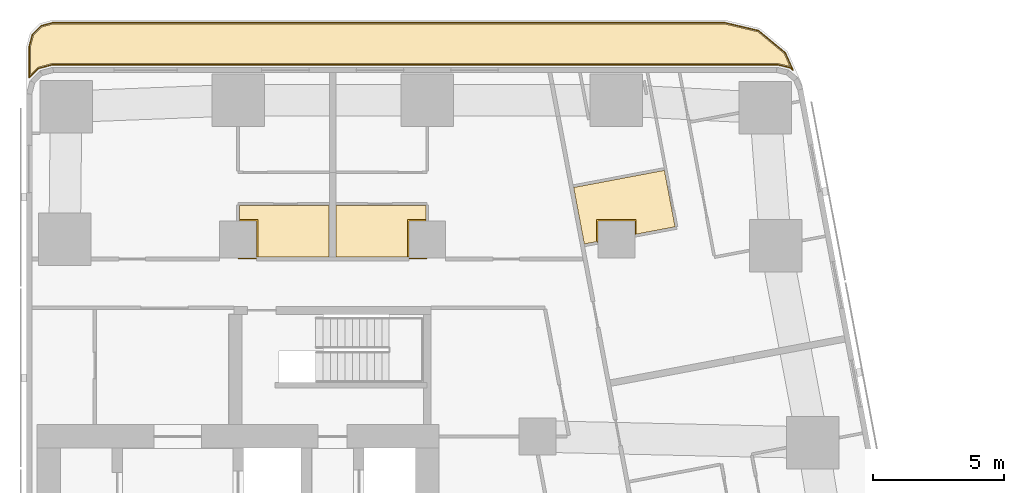
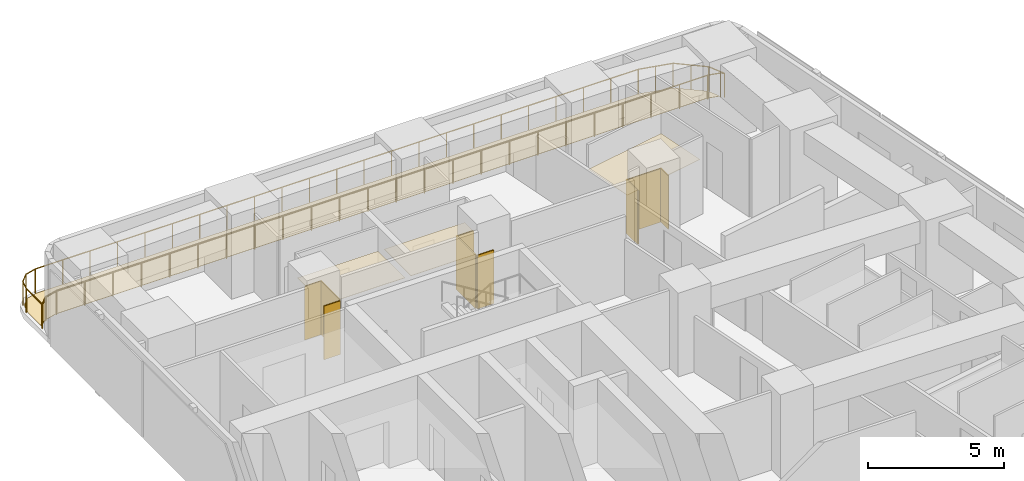
# One storey, part 12 of 12: 7 coverings, 1 railing.
"""IFC4 building model written with IfcOpenShell, lengths in metres."""

from ifc_helpers import new_model, si_unit, direction, frame, origin, origin_2d, place, context, subcontext, project, spatial, polyline, circle, outline, extrude, material, layer, layer_set, type_object, element, save


model = new_model("IFC4")

# Units and contexts
model_context = context("Model", 3, precision=1e-05, world=origin(), true_north=direction((0.0, 1.0)))
body_context = subcontext(model_context, "Body", "Model", "MODEL_VIEW")
ifc_project = project(units=[si_unit("LENGTHUNIT", "METRE"), si_unit("AREAUNIT", "SQUARE_METRE"), si_unit("VOLUMEUNIT", "CUBIC_METRE"), si_unit("PLANEANGLEUNIT", "RADIAN"), si_unit("MASSUNIT", "GRAM", prefix="KILO")], contexts=[model_context])

# Site, building, storey
site_placement = place(None, origin())
site = spatial("IfcSite", under=ifc_project, at=site_placement, CompositionType="ELEMENT")
building_placement = place(site_placement, origin())
building = spatial("IfcBuilding", under=site, at=building_placement, Name="Sheger Commons Tower", CompositionType="ELEMENT")
storey_placement = place(building_placement, frame((0.0, 0.0, 251.60009765625)))
storey = spatial("IfcBuildingStorey", under=building, at=storey_placement, Name="L64", CompositionType="ELEMENT", Elevation=251.60009765625)

# Railing
ifc_material_1 = material(Name="Black steel guard with glass infill", Category="steel")
railing_type = type_object("IfcRailingType", Name="GUARD 1100", PredefinedType="GUARDRAIL", material=ifc_material_1)
railing_placement = place(storey_placement, frame((42.718017578125, 43.944091796875, 0.0)))
element("IfcRailing", 1, at=railing_placement, inside=storey, type_object=railing_type, Name="Terrace guard L64", PredefinedType="GUARDRAIL", context=body_context, shape_type="SweptSolid", body=[
    extrude(circle(Radius=0.02392578125, at=origin_2d()), frame((0.0, 0.0, 1.0771484375), z_axis=(-0.769456516951, 0.638699200345, 0.0), x_axis=(-0.638699200345, -0.769456516951, 0.0)), (0.0, 0.0, 1.0), 0.145751953125),
    extrude(circle(Radius=0.02392578125, at=origin_2d()), frame((-0.112060546875, 0.093017578125, 1.0771484375), z_axis=(-0.973378115617, 0.22920524435, 0.0), x_axis=(-0.22920524435, -0.973378115617, 0.0)), (0.0, 0.0, 1.0), 0.4921875),
    extrude(circle(Radius=0.02392578125, at=origin_2d()), frame((-0.591064453125, 0.205810546875, 1.0771484375), z_axis=(-1.0, 0.0, 0.0), x_axis=(0.0, -1.0, 0.0)), (0.0, 0.0, 1.0), 27.58984375),
    extrude(circle(Radius=0.02392578125, at=origin_2d()), frame((-28.180908203125, 0.205810546875, 1.0771484375), z_axis=(-0.966213147107, -0.257744358535, 0.0), x_axis=(0.257744358535, -0.966213147107, 0.0)), (0.0, 0.0, 1.0), 0.557861328125),
    extrude(circle(Radius=0.02392578125, at=origin_2d()), frame((-28.719970703125, 0.06201171875, 1.0771484375), z_axis=(-0.706115743008, -0.708096432329, 0.0), x_axis=(0.708096432329, -0.706115743008, 0.0)), (0.0, 0.0, 1.0), 0.492919921875),
    extrude(circle(Radius=0.02392578125, at=origin_2d()), frame((-29.068115234375, -0.287109375, 1.0771484375), z_axis=(0.0, 1.0, 0.0), x_axis=(-1.0, 0.0, 0.0)), (0.0, 0.0, 1.0), 1.179931640625),
    extrude(circle(Radius=0.02392578125, at=origin_2d()), frame((-29.068115234375, 0.892822265625, 1.0771484375), z_axis=(0.259698463175, 0.965689757751, 0.0), x_axis=(-0.965689757751, 0.259698463175, 0.0)), (0.0, 0.0, 1.0), 0.4775390625),
    extrude(circle(Radius=0.02392578125, at=origin_2d()), frame((-28.944091796875, 1.35400390625, 1.0771484375), z_axis=(0.707369890659, 0.706843573776, 0.0), x_axis=(-0.706843573776, 0.707369890659, 0.0)), (0.0, 0.0, 1.0), 0.4638671875),
    extrude(circle(Radius=0.02392578125, at=origin_2d()), frame((-28.615966796875, 1.681884765625, 1.0771484375), z_axis=(0.965655254015, 0.259826731483, 0.0), x_axis=(-0.259826731483, 0.965655254015, 0.0)), (0.0, 0.0, 1.0), 0.477294921875),
    extrude(circle(Radius=0.02392578125, at=origin_2d()), frame((-28.155029296875, 1.805908203125, 1.0771484375), z_axis=(1.0, 0.0, 0.0), x_axis=(0.0, 1.0, 0.0)), (0.0, 0.0, 1.0), 25.54296875),
    extrude(circle(Radius=0.02392578125, at=origin_2d()), frame((-2.612060546875, 1.805908203125, 1.0771484375), z_axis=(0.973453091607, -0.228886606077, 0.0), x_axis=(0.228886606077, 0.973453091607, 0.0)), (0.0, 0.0, 1.0), 1.33642578125),
    extrude(circle(Radius=0.02392578125, at=origin_2d()), frame((-1.31103515625, 1.5, 1.0771484375), z_axis=(0.770091412544, -0.637933551655, 0.0), x_axis=(0.637933551655, 0.770091412544, 0.0)), (0.0, 0.0, 1.0), 1.324462890625),
    extrude(circle(Radius=0.02392578125, at=origin_2d()), frame((-0.291015625, 0.655029296875, 1.0771484375), z_axis=(0.406012048674, -0.913867723651, 0.0), x_axis=(0.913867723651, 0.406012048674, 0.0)), (0.0, 0.0, 1.0), 0.716796875),
    extrude(circle(Radius=0.02099609375, at=origin_2d()), origin(), (0.0, 0.0, 1.0), 1.052001953125),
    extrude(circle(Radius=0.02099609375, at=origin_2d()), frame((-0.112060546875, 0.093017578125, 0.0)), (0.0, 0.0, 1.0), 1.052001953125),
    extrude(circle(Radius=0.02099609375, at=origin_2d()), frame((-0.591064453125, 0.205810546875, 0.0)), (0.0, 0.0, 1.0), 1.052001953125),
    extrude(circle(Radius=0.02099609375, at=origin_2d()), frame((-1.79052734375, 0.205810546875, 0.0)), (0.0, 0.0, 1.0), 1.052001953125),
    extrude(circle(Radius=0.02099609375, at=origin_2d()), frame((-2.990234375, 0.205810546875, 0.0)), (0.0, 0.0, 1.0), 1.052001953125),
    extrude(circle(Radius=0.02099609375, at=origin_2d()), frame((-4.189697265625, 0.205810546875, 0.0)), (0.0, 0.0, 1.0), 1.052001953125),
    extrude(circle(Radius=0.02099609375, at=origin_2d()), frame((-5.389404296875, 0.205810546875, 0.0)), (0.0, 0.0, 1.0), 1.052001953125),
    extrude(circle(Radius=0.02099609375, at=origin_2d()), frame((-6.5888671875, 0.205810546875, 0.0)), (0.0, 0.0, 1.0), 1.052001953125),
    extrude(circle(Radius=0.02099609375, at=origin_2d()), frame((-7.788330078125, 0.205810546875, 0.0)), (0.0, 0.0, 1.0), 1.052001953125),
    extrude(circle(Radius=0.02099609375, at=origin_2d()), frame((-8.988037109375, 0.205810546875, 0.0)), (0.0, 0.0, 1.0), 1.052001953125),
    extrude(circle(Radius=0.02099609375, at=origin_2d()), frame((-10.1875, 0.205810546875, 0.0)), (0.0, 0.0, 1.0), 1.052001953125),
    extrude(circle(Radius=0.02099609375, at=origin_2d()), frame((-11.38720703125, 0.205810546875, 0.0)), (0.0, 0.0, 1.0), 1.052001953125),
    extrude(circle(Radius=0.02099609375, at=origin_2d()), frame((-12.586669921875, 0.205810546875, 0.0)), (0.0, 0.0, 1.0), 1.052001953125),
    extrude(circle(Radius=0.02099609375, at=origin_2d()), frame((-13.7861328125, 0.205810546875, 0.0)), (0.0, 0.0, 1.0), 1.052001953125),
    extrude(circle(Radius=0.02099609375, at=origin_2d()), frame((-14.98583984375, 0.205810546875, 0.0)), (0.0, 0.0, 1.0), 1.052001953125),
    extrude(circle(Radius=0.02099609375, at=origin_2d()), frame((-16.185302734375, 0.205810546875, 0.0)), (0.0, 0.0, 1.0), 1.052001953125),
    extrude(circle(Radius=0.02099609375, at=origin_2d()), frame((-17.384765625, 0.205810546875, 0.0)), (0.0, 0.0, 1.0), 1.052001953125),
    extrude(circle(Radius=0.02099609375, at=origin_2d()), frame((-18.58447265625, 0.205810546875, 0.0)), (0.0, 0.0, 1.0), 1.052001953125),
    extrude(circle(Radius=0.02099609375, at=origin_2d()), frame((-19.783935546875, 0.205810546875, 0.0)), (0.0, 0.0, 1.0), 1.052001953125),
    extrude(circle(Radius=0.02099609375, at=origin_2d()), frame((-20.983642578125, 0.205810546875, 0.0)), (0.0, 0.0, 1.0), 1.052001953125),
    extrude(circle(Radius=0.02099609375, at=origin_2d()), frame((-22.18310546875, 0.205810546875, 0.0)), (0.0, 0.0, 1.0), 1.052001953125),
    extrude(circle(Radius=0.02099609375, at=origin_2d()), frame((-23.382568359375, 0.205810546875, 0.0)), (0.0, 0.0, 1.0), 1.052001953125),
    extrude(circle(Radius=0.02099609375, at=origin_2d()), frame((-24.582275390625, 0.205810546875, 0.0)), (0.0, 0.0, 1.0), 1.052001953125),
    extrude(circle(Radius=0.02099609375, at=origin_2d()), frame((-25.78173828125, 0.205810546875, 0.0)), (0.0, 0.0, 1.0), 1.052001953125),
    extrude(circle(Radius=0.02099609375, at=origin_2d()), frame((-26.9814453125, 0.205810546875, 0.0)), (0.0, 0.0, 1.0), 1.052001953125),
    extrude(circle(Radius=0.02099609375, at=origin_2d()), frame((-28.180908203125, 0.205810546875, 0.0)), (0.0, 0.0, 1.0), 1.052001953125),
    extrude(circle(Radius=0.02099609375, at=origin_2d()), frame((-28.719970703125, 0.06201171875, 0.0)), (0.0, 0.0, 1.0), 1.052001953125),
    extrude(circle(Radius=0.02099609375, at=origin_2d()), frame((-29.068115234375, -0.287109375, 0.0)), (0.0, 0.0, 1.0), 1.052001953125),
    extrude(circle(Radius=0.02099609375, at=origin_2d()), frame((-29.068115234375, 0.892822265625, 0.0)), (0.0, 0.0, 1.0), 1.052001953125),
    extrude(circle(Radius=0.02099609375, at=origin_2d()), frame((-28.944091796875, 1.35400390625, 0.0)), (0.0, 0.0, 1.0), 1.052001953125),
    extrude(circle(Radius=0.02099609375, at=origin_2d()), frame((-28.615966796875, 1.681884765625, 0.0)), (0.0, 0.0, 1.0), 1.052001953125),
    extrude(circle(Radius=0.02099609375, at=origin_2d()), frame((-28.155029296875, 1.805908203125, 0.0)), (0.0, 0.0, 1.0), 1.052001953125),
    extrude(circle(Radius=0.02099609375, at=origin_2d()), frame((-26.993896484375, 1.805908203125, 0.0)), (0.0, 0.0, 1.0), 1.052001953125),
    extrude(circle(Radius=0.02099609375, at=origin_2d()), frame((-25.8330078125, 1.805908203125, 0.0)), (0.0, 0.0, 1.0), 1.052001953125),
    extrude(circle(Radius=0.02099609375, at=origin_2d()), frame((-24.671875, 1.805908203125, 0.0)), (0.0, 0.0, 1.0), 1.052001953125),
    extrude(circle(Radius=0.02099609375, at=origin_2d()), frame((-23.5107421875, 1.805908203125, 0.0)), (0.0, 0.0, 1.0), 1.052001953125),
    extrude(circle(Radius=0.02099609375, at=origin_2d()), frame((-22.349853515625, 1.805908203125, 0.0)), (0.0, 0.0, 1.0), 1.052001953125),
    extrude(circle(Radius=0.02099609375, at=origin_2d()), frame((-21.188720703125, 1.805908203125, 0.0)), (0.0, 0.0, 1.0), 1.052001953125),
    extrude(circle(Radius=0.02099609375, at=origin_2d()), frame((-20.02783203125, 1.805908203125, 0.0)), (0.0, 0.0, 1.0), 1.052001953125),
    extrude(circle(Radius=0.02099609375, at=origin_2d()), frame((-18.86669921875, 1.805908203125, 0.0)), (0.0, 0.0, 1.0), 1.052001953125),
    extrude(circle(Radius=0.02099609375, at=origin_2d()), frame((-17.70556640625, 1.805908203125, 0.0)), (0.0, 0.0, 1.0), 1.052001953125),
    extrude(circle(Radius=0.02099609375, at=origin_2d()), frame((-16.544677734375, 1.805908203125, 0.0)), (0.0, 0.0, 1.0), 1.052001953125),
    extrude(circle(Radius=0.02099609375, at=origin_2d()), frame((-15.383544921875, 1.805908203125, 0.0)), (0.0, 0.0, 1.0), 1.052001953125),
    extrude(circle(Radius=0.02099609375, at=origin_2d()), frame((-14.222412109375, 1.805908203125, 0.0)), (0.0, 0.0, 1.0), 1.052001953125),
    extrude(circle(Radius=0.02099609375, at=origin_2d()), frame((-13.0615234375, 1.805908203125, 0.0)), (0.0, 0.0, 1.0), 1.052001953125),
    extrude(circle(Radius=0.02099609375, at=origin_2d()), frame((-11.900390625, 1.805908203125, 0.0)), (0.0, 0.0, 1.0), 1.052001953125),
    extrude(circle(Radius=0.02099609375, at=origin_2d()), frame((-10.7392578125, 1.805908203125, 0.0)), (0.0, 0.0, 1.0), 1.052001953125),
    extrude(circle(Radius=0.02099609375, at=origin_2d()), frame((-9.578369140625, 1.805908203125, 0.0)), (0.0, 0.0, 1.0), 1.052001953125),
    extrude(circle(Radius=0.02099609375, at=origin_2d()), frame((-8.417236328125, 1.805908203125, 0.0)), (0.0, 0.0, 1.0), 1.052001953125),
    extrude(circle(Radius=0.02099609375, at=origin_2d()), frame((-7.25634765625, 1.805908203125, 0.0)), (0.0, 0.0, 1.0), 1.052001953125),
    extrude(circle(Radius=0.02099609375, at=origin_2d()), frame((-6.09521484375, 1.805908203125, 0.0)), (0.0, 0.0, 1.0), 1.052001953125),
    extrude(circle(Radius=0.02099609375, at=origin_2d()), frame((-4.93408203125, 1.805908203125, 0.0)), (0.0, 0.0, 1.0), 1.052001953125),
    extrude(circle(Radius=0.02099609375, at=origin_2d()), frame((-3.773193359375, 1.805908203125, 0.0)), (0.0, 0.0, 1.0), 1.052001953125),
    extrude(circle(Radius=0.02099609375, at=origin_2d()), frame((-2.612060546875, 1.805908203125, 0.0)), (0.0, 0.0, 1.0), 1.052001953125),
    extrude(circle(Radius=0.02099609375, at=origin_2d()), frame((-1.96142578125, 1.65283203125, 0.0)), (0.0, 0.0, 1.0), 1.052001953125),
    extrude(circle(Radius=0.02099609375, at=origin_2d()), frame((-1.31103515625, 1.5, 0.0)), (0.0, 0.0, 1.0), 1.052001953125),
    extrude(circle(Radius=0.02099609375, at=origin_2d()), frame((-0.801025390625, 1.07763671875, 0.0)), (0.0, 0.0, 1.0), 1.052001953125),
    extrude(circle(Radius=0.02099609375, at=origin_2d()), frame((-0.291015625, 0.655029296875, 0.0)), (0.0, 0.0, 1.0), 1.052001953125),
])

# Coverings
ifc_material_2 = material(Name="Moisture-resistant gypsum plasterboard 15 mm on a suspended galvanised steel grid", Category="steel")
ifc_layer_1 = layer(ifc_material_2, 0.014892578125)
ifc_layer_set_1 = layer_set([ifc_layer_1], Name="MOISTURE-RESISTANT CEILING 15")
covering_type_1 = type_object("IfcCoveringType", Name="MOISTURE-RESISTANT CEILING 15", PredefinedType="CEILING", material=ifc_layer_set_1)
covering_1_placement = place(storey_placement, frame((0.0, 0.0, 2.39990234375)))
element("IfcCovering", 2, at=covering_1_placement, inside=storey, type_object=covering_type_1, Name="L64-01.B1 ceiling", PredefinedType="CEILING", context=body_context, shape_type="SweptSolid", body=[
    extrude(outline(polyline([(34.780029296875, 37.325927734375), (35.284912109375, 37.4208984375), (35.29296875, 37.3779296875), (35.294921875, 37.3779296875), (35.294921875, 38.205078125), (36.705078125, 38.205078125), (36.705078125, 37.68994140625), (38.23388671875, 37.97900390625), (37.827880859375, 40.126953125), (34.3740234375, 39.47509765625), (34.780029296875, 37.325927734375)])), origin(), (0.0, 0.0, 1.0), 0.014892578125),
])
covering_2_placement = place(storey_placement, frame((0.0, 0.0, 2.39990234375)))
element("IfcCovering", 3, at=covering_2_placement, inside=storey, type_object=covering_type_1, Name="L64-05.B1 ceiling", PredefinedType="CEILING", context=body_context, shape_type="SweptSolid", body=[
    extrude(outline(polyline([(22.304931640625, 36.830078125), (25.070068359375, 36.830078125), (25.070068359375, 38.794921875), (21.655029296875, 38.794921875), (21.655029296875, 38.205078125), (22.304931640625, 38.205078125), (22.304931640625, 36.830078125)])), origin(), (0.0, 0.0, 1.0), 0.014892578125),
])
covering_3_placement = place(storey_placement, frame((0.0, 0.0, 2.39990234375)))
element("IfcCovering", 4, at=covering_3_placement, inside=storey, type_object=covering_type_1, Name="L64-06.B1 ceiling", PredefinedType="CEILING", context=body_context, shape_type="SweptSolid", body=[
    extrude(outline(polyline([(25.330078125, 36.830078125), (28.094970703125, 36.830078125), (28.094970703125, 38.205078125), (28.7451171875, 38.205078125), (28.7451171875, 38.794921875), (25.330078125, 38.794921875), (25.330078125, 36.830078125)])), origin(), (0.0, 0.0, 1.0), 0.014892578125),
])
ifc_material_3 = material(Name="Porcelain paving tiles on a liquid-applied polyurethane waterproofing membrane")
ifc_layer_2 = layer(ifc_material_3, 0.014892578125)
ifc_layer_set_2 = layer_set([ifc_layer_2], Name="TERRACE TILING 15")
covering_type_2 = type_object("IfcCoveringType", Name="TERRACE TILING 15", PredefinedType="ROOFING", material=ifc_layer_set_2)
covering_4_placement = place(storey_placement, origin())
element("IfcCovering", 5, at=covering_4_placement, inside=storey, type_object=covering_type_2, Name="Roof terrace terrace finish", PredefinedType="ROOFING", context=body_context, shape_type="SweptSolid", body=[
    extrude(outline(polyline([(13.695068359375, 43.76611328125), (13.97509765625, 44.0458984375), (14.531005859375, 44.195068359375), (42.132080078125, 44.195068359375), (42.60693359375, 44.0830078125), (42.389892578125, 44.571044921875), (41.385986328125, 45.403076171875), (40.10107421875, 45.705078125), (14.569091796875, 45.705078125), (14.125, 45.5859375), (13.81396484375, 45.27490234375), (13.695068359375, 44.8310546875), (13.695068359375, 43.76611328125)])), origin(), (0.0, 0.0, 1.0), 0.014892578125),
])
ifc_material_4 = material(Name="Moisture-resistant gypsum board 12.5 mm on 25 mm treated timber battens, tanked and tiled", Category="wood")
ifc_layer_3 = layer(ifc_material_4, 0.050048828125)
ifc_layer_set_3 = layer_set([ifc_layer_3], Name="WET-ROOM COLUMN LINING")
covering_type_3 = type_object("IfcCoveringType", Name="WET-ROOM COLUMN LINING", PredefinedType="CLADDING", material=ifc_layer_set_3)
covering_5_placement = place(storey_placement, origin())
element("IfcCovering", 6, at=covering_5_placement, inside=storey, type_object=covering_type_3, Name="Bathroom column lining C11 L64", PredefinedType="CLADDING", context=body_context, shape_type="SweptSolid", body=[
    extrude(outline(polyline([(22.35009765625, 36.824951171875), (22.301025390625, 36.824951171875), (22.301025390625, 36.75), (21.60009765625, 36.75), (21.60009765625, 36.800048828125), (22.300048828125, 36.800048828125), (22.300048828125, 38.199951171875), (21.60009765625, 38.199951171875), (21.60009765625, 38.200927734375), (21.64990234375, 38.200927734375), (21.64990234375, 38.25), (22.35009765625, 38.25), (22.35009765625, 36.824951171875)])), origin(), (0.0, 0.0, 1.0), 2.39990234375),
])
covering_6_placement = place(storey_placement, origin())
element("IfcCovering", 7, at=covering_6_placement, inside=storey, type_object=covering_type_3, Name="Bathroom column lining C11 L64", PredefinedType="CLADDING", context=body_context, shape_type="SweptSolid", body=[
    extrude(outline(polyline([(28.75, 38.25), (28.75, 38.200927734375), (28.800048828125, 38.200927734375), (28.800048828125, 38.199951171875), (28.10009765625, 38.199951171875), (28.10009765625, 36.800048828125), (28.800048828125, 36.800048828125), (28.800048828125, 36.75), (28.09912109375, 36.75), (28.09912109375, 36.824951171875), (28.050048828125, 36.824951171875), (28.050048828125, 38.25), (28.75, 38.25)])), origin(), (0.0, 0.0, 1.0), 2.39990234375),
])
covering_7_placement = place(storey_placement, origin())
element("IfcCovering", 8, at=covering_7_placement, inside=storey, type_object=covering_type_3, Name="Bathroom column lining C11 L64", PredefinedType="CLADDING", context=body_context, shape_type="SweptSolid", body=[
    extrude(outline(polyline([(36.75, 38.25), (36.75, 37.693115234375), (36.700927734375, 37.68408203125), (36.7099609375, 37.635009765625), (36.699951171875, 37.633056640625), (36.699951171875, 38.199951171875), (35.300048828125, 38.199951171875), (35.300048828125, 37.367919921875), (35.2900390625, 37.365966796875), (35.281005859375, 37.4150390625), (35.25, 37.408935546875), (35.25, 38.25), (36.75, 38.25)])), origin(), (0.0, 0.0, 1.0), 2.39990234375),
])

save(model, "model.ifc")
